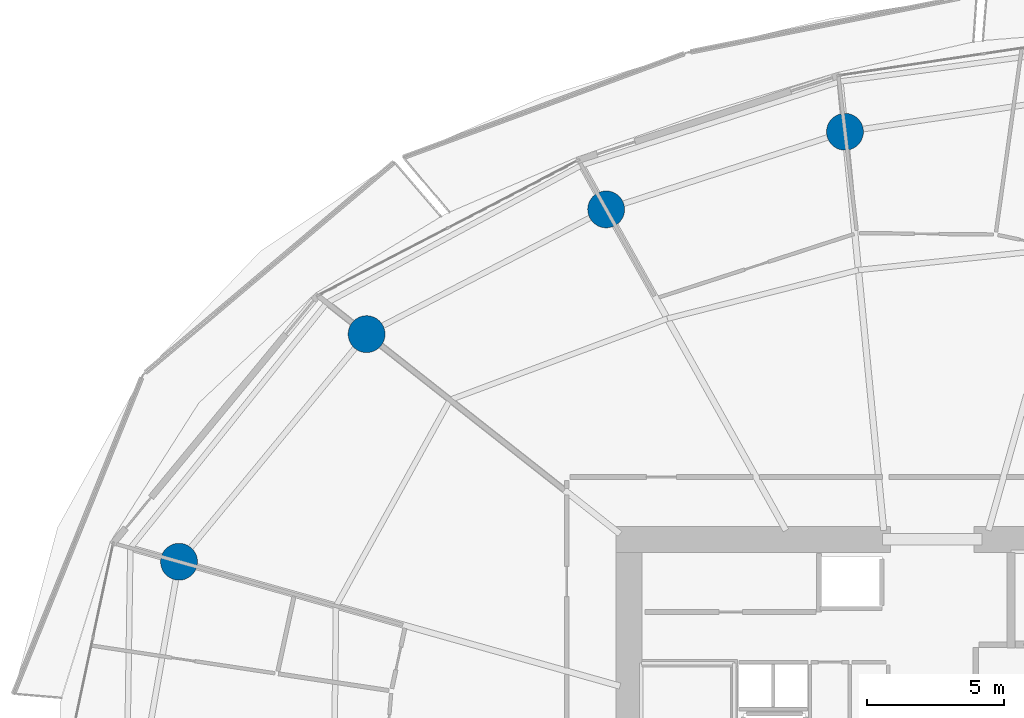
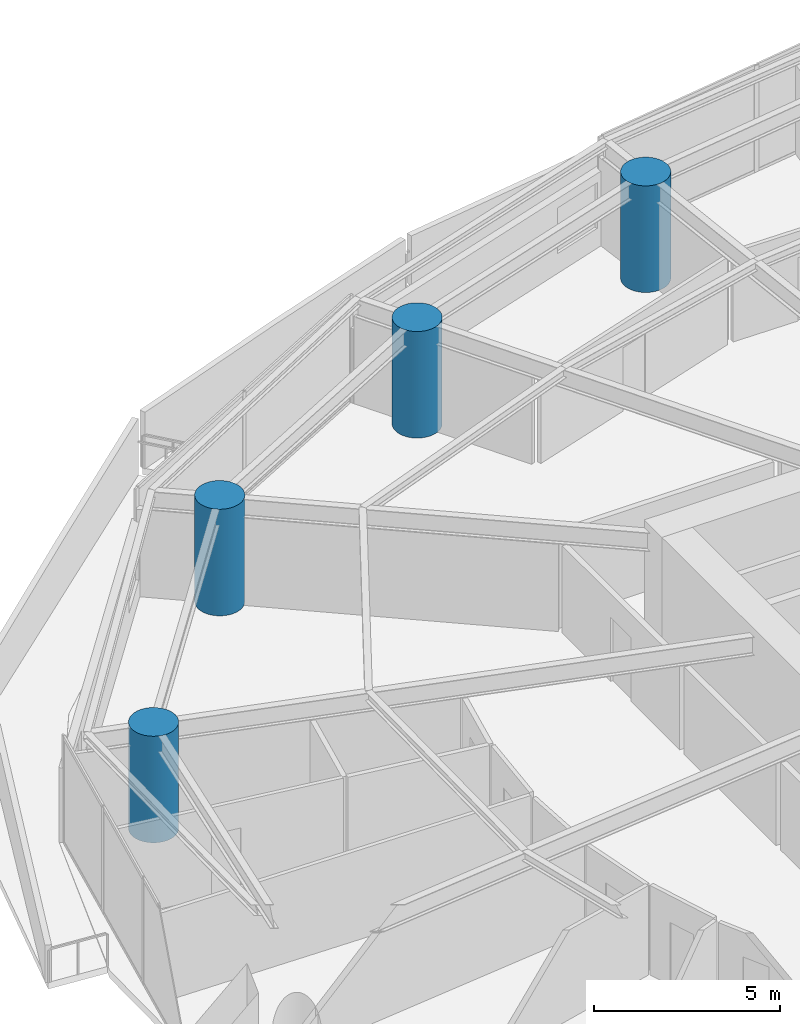
# One storey, part 4 of 31: 4 columns.
"""IFC4 building model written with IfcOpenShell, lengths in metres."""

from ifc_helpers import new_model, si_unit, direction, frame, origin, origin_2d, place, context, subcontext, project, spatial, circle, extrude, material, material_profile, profile_set, type_object, element, save


model = new_model("IFC4")

# Units and contexts
model_context = context("Model", 3, precision=1e-05, world=origin(), true_north=direction((0.0, 1.0)))
body_context = subcontext(model_context, "Body", "Model", "MODEL_VIEW")
ifc_project = project(units=[si_unit("LENGTHUNIT", "METRE"), si_unit("AREAUNIT", "SQUARE_METRE"), si_unit("VOLUMEUNIT", "CUBIC_METRE"), si_unit("PLANEANGLEUNIT", "RADIAN"), si_unit("MASSUNIT", "GRAM", prefix="KILO")], contexts=[model_context])

# Site, building, storey
site_placement = place(None, origin())
site = spatial("IfcSite", under=ifc_project, at=site_placement, CompositionType="ELEMENT")
building_placement = place(site_placement, origin())
building = spatial("IfcBuilding", under=site, at=building_placement, Name="Kazma Halo Residences", CompositionType="ELEMENT")
storey_placement = place(building_placement, frame((0.0, 0.0, 52.64990234375)))
storey = spatial("IfcBuildingStorey", under=building, at=storey_placement, Name="L12", CompositionType="ELEMENT", Elevation=52.64990234375)

# Columns
ifc_material = material(Name="Concrete C80/95", Category="concrete")
ifc_material_profile = material_profile(ifc_material, circle(Radius=0.675048828125, at=origin_2d()), Name="CIRC1350")
ifc_profile_set = profile_set([ifc_material_profile], Name="Concrete C80/95")
column_type = type_object("IfcColumnType", Name="COL-PERIM-1350", PredefinedType="COLUMN", material=ifc_profile_set)
for number, where, z_axis, x_axis, name in (
    (1, (45.231689453125, 65.389404296875, 0.0), (0.0, 0.0, 1.0), (1.0, 0.0, 0.0), "L12 perimeter ring column P04"),
    (2, (36.49169921875, 62.549560546875, 0.0), (0.0, 0.0, 1.0), (1.0, 0.0, 0.0), "L12 perimeter ring column P05"),
    (3, (27.72412109375, 57.984130859375, 0.0), (0.0, 0.0, 1.0), (1.0, 0.0, 0.0), "L12 perimeter ring column P06"),
    (4, (20.859130859375, 49.654541015625, 0.0), (0.0, 0.0, 1.0), (1.0, 0.0, 0.0), "L12 perimeter ring column P07"),
):
    element("IfcColumn", number, at=place(storey_placement, frame(where, z_axis=z_axis, x_axis=x_axis)), inside=storey, type_object=column_type, Name=name, PredefinedType="COLUMN", context=body_context, shape_type="SweptSolid", body=[
        extrude(circle(Radius=0.675048828125, at=origin_2d()), origin(), (0.0, 0.0, 1.0), 3.5),
    ])

save(model, "model.ifc")
